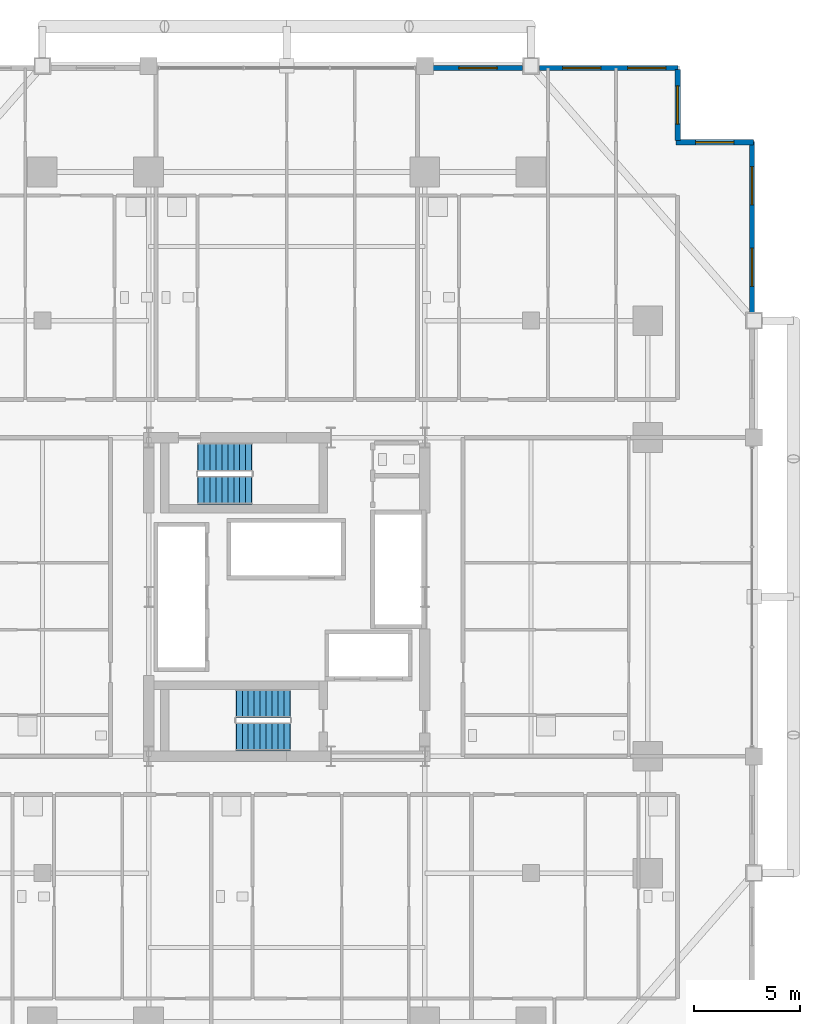
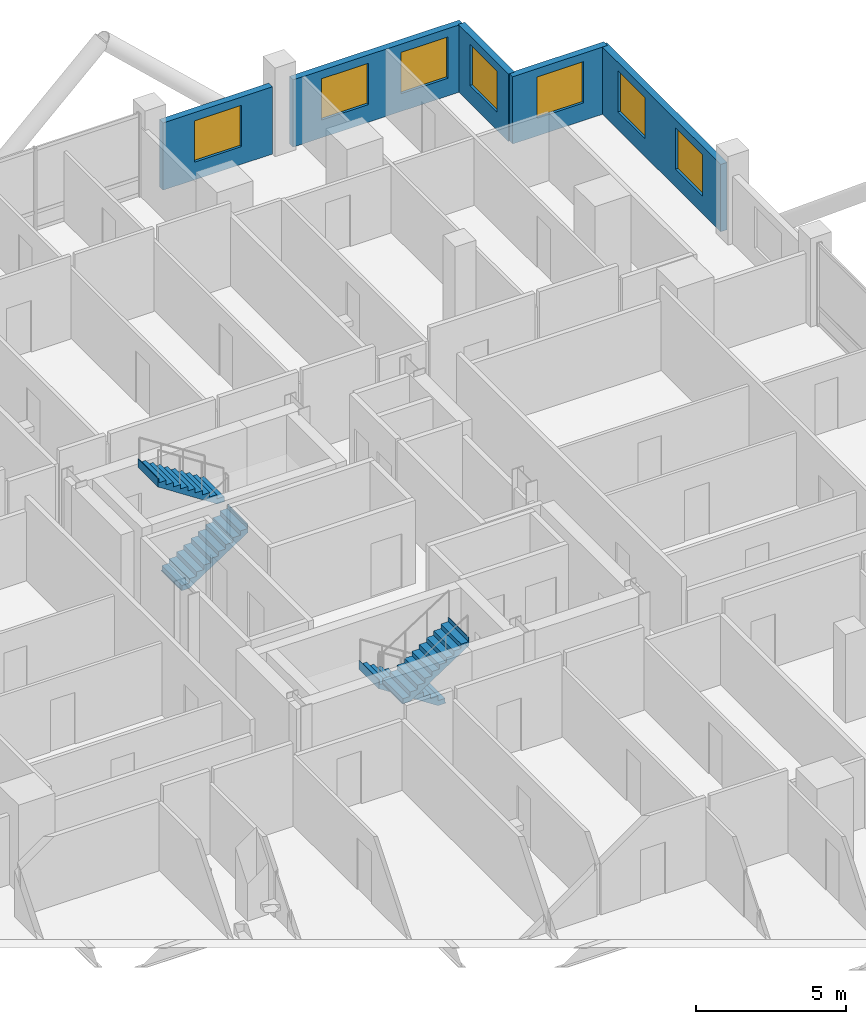
# One storey, part 26 of 28: 7 windows, 5 walls, 4 stair flights, 7 openings, 2 elements without a shape of their own.
"""IFC4 building model written with IfcOpenShell, lengths in metres."""

from ifc_helpers import new_model, si_unit, direction, frame, frame_2d, origin, place, context, subcontext, project, spatial, polyline, rectangle, outline, extrude, material, layer, layer_set, type_object, element, fill, aggregate, save


model = new_model("IFC4")

# Units and contexts
model_context = context("Model", 3, precision=1e-05, world=origin(), true_north=direction((0.0, 1.0)))
body_context = subcontext(model_context, "Body", "Model", "MODEL_VIEW")
ifc_project = project(units=[si_unit("LENGTHUNIT", "METRE"), si_unit("AREAUNIT", "SQUARE_METRE"), si_unit("VOLUMEUNIT", "CUBIC_METRE"), si_unit("PLANEANGLEUNIT", "RADIAN"), si_unit("MASSUNIT", "GRAM", prefix="KILO")], contexts=[model_context])

# Site, building, storey
site_placement = place(None, origin())
site = spatial("IfcSite", under=ifc_project, at=site_placement, CompositionType="ELEMENT")
building_placement = place(site_placement, origin())
building = spatial("IfcBuilding", under=site, at=building_placement, Name="Barlavira Tower and Art Museum", CompositionType="ELEMENT")
storey_placement = place(building_placement, frame((0.0, 0.0, 39.60009765625)))
storey = spatial("IfcBuildingStorey", under=building, at=storey_placement, Name="L08", CompositionType="ELEMENT", Elevation=39.60009765625)

# Wall, openings, windows
ifc_material_1 = material(Name="Precast concrete C40", Category="concrete")
ifc_layer = layer(ifc_material_1, 0.25, Name="Precast concrete C40")
ifc_layer_set = layer_set([ifc_layer], Name="Precast concrete C40")
wall_type = type_object("IfcWallType", Name="Notched Corner Spandrel Wall 250 Precast Concrete C40", PredefinedType="SOLIDWALL", material=ifc_layer_set)
wall_1_placement = place(storey_placement, frame((18.425048828125, 24.89990234375, 0.0), z_axis=(0.0, 0.0, 1.0), x_axis=(-1.0, 0.0, 0.0)))
wall_1 = element("IfcWall", 1, at=wall_1_placement, inside=storey, type_object=wall_type, Name="L08 Coastal Facade Pier Wall CW1-L08-N-1", PredefinedType="SOLIDWALL", context=body_context, shape_type="SweptSolid", body=[
    extrude(rectangle(XDim=6.530029296875, YDim=0.25, at=frame_2d((3.26513671875, 0.0))), origin(), (0.0, 0.0, 1.0), 2.73583984375),
])
opening_1_placement = place(wall_1_placement, frame((0.572998046875, 0.0, 0.719970703125)))
opening_1 = element("IfcOpeningElement", 2, at=opening_1_placement, cuts=wall_1, Name="Opening WN-01", PredefinedType="OPENING", context=body_context, shape_type="SweptSolid", body=[
    extrude(rectangle(XDim=1.800048828125, YDim=1.679931640625, at=frame_2d((0.89990234375, 0.83984375))), frame((0.0, 0.135009765625, 0.0), z_axis=(0.0, -1.0, 0.0), x_axis=(1.0, 0.0, 0.0)), (0.0, 0.0, 1.0), 0.27001953125),
])
opening_2_placement = place(wall_1_placement, frame((3.639892578125, 0.0, 0.719970703125)))
opening_2 = element("IfcOpeningElement", 3, at=opening_2_placement, cuts=wall_1, Name="Opening WN-01", PredefinedType="OPENING", context=body_context, shape_type="SweptSolid", body=[
    extrude(rectangle(XDim=1.800048828125, YDim=1.679931640625, at=frame_2d((0.89990234375, 0.83984375))), frame((0.0, 0.135009765625, 0.0), z_axis=(0.0, -1.0, 0.0), x_axis=(1.0, 0.0, 0.0)), (0.0, 0.0, 1.0), 0.27001953125),
])
ifc_material_2 = material(Name="Low-iron coastal laminated glass", Category="glass")
window_type = type_object("IfcWindowType", Name="Recessed Notch Corner Punch Window 1800x1680", PartitioningType="SINGLE_PANEL", PredefinedType="WINDOW", material=ifc_material_2)
window_1_placement = place(opening_1_placement, origin())
window_1 = element("IfcWindow", 4, at=window_1_placement, inside=storey, type_object=window_type, Name="L08 Punched Facade Window EWP-CW1-L08-N-1-1", OverallHeight=1.679931640625, OverallWidth=1.800048828125, PartitioningType="SINGLE_PANEL", PredefinedType="WINDOW", context=body_context, shape_type="SweptSolid", body=[
    extrude(rectangle(XDim=1.800048828125, YDim=1.679931640625, at=frame_2d((0.89990234375, 0.83984375))), frame((0.0, 0.030029296875, 0.0), z_axis=(0.0, -1.0, 0.0), x_axis=(1.0, 0.0, 0.0)), (0.0, 0.0, 1.0), 0.06005859375),
])
fill(opening_1, window_1)
window_2_placement = place(opening_2_placement, origin())
window_2 = element("IfcWindow", 5, at=window_2_placement, inside=storey, type_object=window_type, Name="L08 Punched Facade Window EWP-CW1-L08-N-1-2", OverallHeight=1.679931640625, OverallWidth=1.800048828125, PartitioningType="SINGLE_PANEL", PredefinedType="WINDOW", context=body_context, shape_type="SweptSolid", body=[
    extrude(rectangle(XDim=1.800048828125, YDim=1.679931640625, at=frame_2d((0.89990234375, 0.83984375))), frame((0.0, 0.030029296875, 0.0), z_axis=(0.0, -1.0, 0.0), x_axis=(1.0, 0.0, 0.0)), (0.0, 0.0, 1.0), 0.06005859375),
])
fill(opening_2, window_2)

# Wall, opening, window
wall_2_placement = place(storey_placement, frame((11.10498046875, 24.89990234375, 0.0), z_axis=(0.0, 0.0, 1.0), x_axis=(-1.0, 0.0, 0.0)))
wall_2 = element("IfcWall", 6, at=wall_2_placement, inside=storey, type_object=wall_type, Name="L08 Coastal Facade Pier Wall CW1-L08-N-2", PredefinedType="SOLIDWALL", context=body_context, shape_type="SweptSolid", body=[
    extrude(rectangle(XDim=4.2099609375, YDim=0.25, at=frame_2d((2.10498046875, 0.0))), origin(), (0.0, 0.0, 1.0), 2.73583984375),
])
opening_3_placement = place(wall_2_placement, frame((1.205078125, 0.0, 0.719970703125)))
opening_3 = element("IfcOpeningElement", 7, at=opening_3_placement, cuts=wall_2, Name="Opening WN-01", PredefinedType="OPENING", context=body_context, shape_type="SweptSolid", body=[
    extrude(rectangle(XDim=1.800048828125, YDim=1.679931640625, at=frame_2d((0.89990234375, 0.83984375))), frame((0.0, 0.135009765625, 0.0), z_axis=(0.0, -1.0, 0.0), x_axis=(1.0, 0.0, 0.0)), (0.0, 0.0, 1.0), 0.27001953125),
])
window_3_placement = place(opening_3_placement, origin())
window_3 = element("IfcWindow", 8, at=window_3_placement, inside=storey, type_object=window_type, Name="L08 Punched Facade Window EWP-CW1-L08-N-2-1", OverallHeight=1.679931640625, OverallWidth=1.800048828125, PartitioningType="SINGLE_PANEL", PredefinedType="WINDOW", context=body_context, shape_type="SweptSolid", body=[
    extrude(rectangle(XDim=1.800048828125, YDim=1.679931640625, at=frame_2d((0.89990234375, 0.83984375))), frame((0.0, 0.030029296875, 0.0), z_axis=(0.0, -1.0, 0.0), x_axis=(1.0, 0.0, 0.0)), (0.0, 0.0, 1.0), 0.06005859375),
])
fill(opening_3, window_3)

# Wall, openings, windows
wall_3_placement = place(storey_placement, frame((21.89990234375, 13.39501953125, 0.0), z_axis=(0.0, 0.0, 1.0), x_axis=(0.0, 1.0, 0.0)))
wall_3 = element("IfcWall", 9, at=wall_3_placement, inside=storey, type_object=wall_type, Name="L08 Coastal Facade Pier Wall CW1-L08-E-5", PredefinedType="SOLIDWALL", context=body_context, shape_type="SweptSolid", body=[
    extrude(rectangle(XDim=8.030029296875, YDim=0.25, at=frame_2d((4.01513671875, 0.0))), origin(), (0.0, 0.0, 1.0), 2.73583984375),
])
opening_4_placement = place(wall_3_placement, frame((1.220947265625, 0.0, 0.719970703125)))
opening_4 = element("IfcOpeningElement", 10, at=opening_4_placement, cuts=wall_3, Name="Opening WN-01", PredefinedType="OPENING", context=body_context, shape_type="SweptSolid", body=[
    extrude(rectangle(XDim=1.800048828125, YDim=1.679931640625, at=frame_2d((0.89990234375, 0.83984375))), frame((0.0, 0.135009765625, 0.0), z_axis=(0.0, -1.0, 0.0), x_axis=(1.0, 0.0, 0.0)), (0.0, 0.0, 1.0), 0.27001953125),
])
opening_5_placement = place(wall_3_placement, frame((5.053955078125, 0.0, 0.719970703125)))
opening_5 = element("IfcOpeningElement", 11, at=opening_5_placement, cuts=wall_3, Name="Opening WN-01", PredefinedType="OPENING", context=body_context, shape_type="SweptSolid", body=[
    extrude(rectangle(XDim=1.800048828125, YDim=1.679931640625, at=frame_2d((0.89990234375, 0.83984375))), frame((0.0, 0.135009765625, 0.0), z_axis=(0.0, -1.0, 0.0), x_axis=(1.0, 0.0, 0.0)), (0.0, 0.0, 1.0), 0.27001953125),
])
window_4_placement = place(opening_4_placement, origin())
window_4 = element("IfcWindow", 12, at=window_4_placement, inside=storey, type_object=window_type, Name="L08 Punched Facade Window EWP-CW1-L08-E-5-1", OverallHeight=1.679931640625, OverallWidth=1.800048828125, PartitioningType="SINGLE_PANEL", PredefinedType="WINDOW", context=body_context, shape_type="SweptSolid", body=[
    extrude(rectangle(XDim=1.800048828125, YDim=1.679931640625, at=frame_2d((0.89990234375, 0.83984375))), frame((0.0, 0.030029296875, 0.0), z_axis=(0.0, -1.0, 0.0), x_axis=(1.0, 0.0, 0.0)), (0.0, 0.0, 1.0), 0.06005859375),
])
fill(opening_4, window_4)
window_5_placement = place(opening_5_placement, origin())
window_5 = element("IfcWindow", 13, at=window_5_placement, inside=storey, type_object=window_type, Name="L08 Punched Facade Window EWP-CW1-L08-E-5-2", OverallHeight=1.679931640625, OverallWidth=1.800048828125, PartitioningType="SINGLE_PANEL", PredefinedType="WINDOW", context=body_context, shape_type="SweptSolid", body=[
    extrude(rectangle(XDim=1.800048828125, YDim=1.679931640625, at=frame_2d((0.89990234375, 0.83984375))), frame((0.0, 0.030029296875, 0.0), z_axis=(0.0, -1.0, 0.0), x_axis=(1.0, 0.0, 0.0)), (0.0, 0.0, 1.0), 0.06005859375),
])
fill(opening_5, window_5)

# Wall, opening, window
wall_4_placement = place(storey_placement, frame((21.97998046875, 21.39990234375, 0.0), z_axis=(0.0, 0.0, 1.0), x_axis=(-1.0, 0.0, 0.0)))
wall_4 = element("IfcWall", 14, at=wall_4_placement, inside=storey, type_object=wall_type, Name="L08 Notch Corner Wall NE1", PredefinedType="SOLIDWALL", context=body_context, shape_type="SweptSolid", body=[
    extrude(rectangle(XDim=3.659912109375, YDim=0.25, at=frame_2d((1.830078125, 0.0))), origin(), (0.0, 0.0, 1.0), 2.73583984375),
])
opening_6_placement = place(wall_4_placement, frame((0.929931640625, 0.0, 0.719970703125)))
opening_6 = element("IfcOpeningElement", 15, at=opening_6_placement, cuts=wall_4, Name="Opening WN-01", PredefinedType="OPENING", context=body_context, shape_type="SweptSolid", body=[
    extrude(rectangle(XDim=1.800048828125, YDim=1.679931640625, at=frame_2d((0.89990234375, 0.83984375))), frame((0.0, 0.135009765625, 0.0), z_axis=(0.0, -1.0, 0.0), x_axis=(1.0, 0.0, 0.0)), (0.0, 0.0, 1.0), 0.27001953125),
])
window_6_placement = place(opening_6_placement, origin())
window_6 = element("IfcWindow", 16, at=window_6_placement, inside=storey, type_object=window_type, Name="L08 Punched Facade Window EW-NTC-L08-NE1-1", OverallHeight=1.679931640625, OverallWidth=1.800048828125, PartitioningType="SINGLE_PANEL", PredefinedType="WINDOW", context=body_context, shape_type="SweptSolid", body=[
    extrude(rectangle(XDim=1.800048828125, YDim=1.679931640625, at=frame_2d((0.89990234375, 0.83984375))), frame((0.0, 0.030029296875, 0.0), z_axis=(0.0, -1.0, 0.0), x_axis=(1.0, 0.0, 0.0)), (0.0, 0.0, 1.0), 0.06005859375),
])
fill(opening_6, window_6)

wall_5_placement = place(storey_placement, frame((18.39990234375, 21.47998046875, 0.0), z_axis=(0.0, 0.0, 1.0), x_axis=(0.0, 1.0, 0.0)))
wall_5 = element("IfcWall", 17, at=wall_5_placement, inside=storey, type_object=wall_type, Name="L08 Notch Corner Wall NE2", PredefinedType="SOLIDWALL", context=body_context, shape_type="SweptSolid", body=[
    extrude(rectangle(XDim=3.340087890625, YDim=0.25, at=frame_2d((1.669921875, 0.0))), origin(), (0.0, 0.0, 1.0), 2.73583984375),
])
opening_7_placement = place(wall_5_placement, frame((0.77001953125, 0.0, 0.719970703125)))
opening_7 = element("IfcOpeningElement", 18, at=opening_7_placement, cuts=wall_5, Name="Opening WN-01", PredefinedType="OPENING", context=body_context, shape_type="SweptSolid", body=[
    extrude(rectangle(XDim=1.800048828125, YDim=1.679931640625, at=frame_2d((0.89990234375, 0.83984375))), frame((0.0, 0.135009765625, 0.0), z_axis=(0.0, -1.0, 0.0), x_axis=(1.0, 0.0, 0.0)), (0.0, 0.0, 1.0), 0.27001953125),
])
window_7_placement = place(opening_7_placement, origin())
window_7 = element("IfcWindow", 19, at=window_7_placement, inside=storey, type_object=window_type, Name="L08 Punched Facade Window EW-NTC-L08-NE2-1", OverallHeight=1.679931640625, OverallWidth=1.800048828125, PartitioningType="SINGLE_PANEL", PredefinedType="WINDOW", context=body_context, shape_type="SweptSolid", body=[
    extrude(rectangle(XDim=1.800048828125, YDim=1.679931640625, at=frame_2d((0.89990234375, 0.83984375))), frame((0.0, 0.030029296875, 0.0), z_axis=(0.0, -1.0, 0.0), x_axis=(1.0, 0.0, 0.0)), (0.0, 0.0, 1.0), 0.06005859375),
])
fill(opening_7, window_7)

# Stair, stair flights
ifc_material_3 = material(Name="Concrete C45", Category="concrete")
stair_type_1 = type_object("IfcStairType", Name="Tower North Dog-Leg Exit Stair Assembly Concrete C45", PredefinedType="TWO_QUARTER_TURN_STAIR", material=ifc_material_3)
stair_1_placement = place(storey_placement, origin())
stair_1 = element("IfcStair", 20, at=stair_1_placement, inside=storey, type_object=stair_type_1, Name="L08 Tower North Exit Stair ST-T2", PredefinedType="TWO_QUARTER_TURN_STAIR")
ifc_material_4 = material(Name="Precast concrete C45", Category="concrete")
stair_flight_type_1 = type_object("IfcStairFlightType", Name="Tower North Dog-Leg Exit Stair Precast Flight 1350 Concrete C45", PredefinedType="STRAIGHT", material=ifc_material_4)
stair_flight_1_placement = place(storey_placement, frame((-4.169921875, 5.02490234375, 0.0), z_axis=(0.0, 0.0, 1.0), x_axis=(1.0, 0.0, 0.0)))
stair_flight_1 = element("IfcStairFlight", 21, at=stair_flight_1_placement, type_object=stair_flight_type_1, Name="ST-T2 flight 1", NumberOfRisers=10, NumberOfTreads=9, PredefinedType="STRAIGHT", RiserHeight=0.18, TreadLength=0.28, context=body_context, shape_type="SweptSolid", body=[
    extrude(outline(polyline([(-0.02490234375, 0.0), (0.0, 0.0), (0.0, 0.179931640625), (0.280029296875, 0.179931640625), (0.280029296875, 0.360107421875), (0.56005859375, 0.360107421875), (0.56005859375, 0.5400390625), (0.840087890625, 0.5400390625), (0.840087890625, 0.719970703125), (1.1201171875, 0.719970703125), (1.1201171875, 0.89990234375), (1.39990234375, 0.89990234375), (1.39990234375, 1.080078125), (1.679931640625, 1.080078125), (1.679931640625, 1.260009765625), (1.9599609375, 1.260009765625), (1.9599609375, 1.43994140625), (2.239990234375, 1.43994140625), (2.239990234375, 1.6201171875), (2.52001953125, 1.6201171875), (2.52001953125, 1.800048828125), (2.544921875, 1.800048828125), (2.544921875, 1.44189453125), (2.52001953125, 1.44189453125), (0.277099609375, -0.02490234375), (-0.02490234375, -0.02490234375), (-0.02490234375, 0.0)])), frame((0.0, 0.675048828125, 0.0), z_axis=(0.0, -1.0, 0.0), x_axis=(1.0, 0.0, 0.0)), (0.0, 0.0, 1.0), 1.35009765625),
])
stair_flight_2_placement = place(storey_placement, frame((-1.64990234375, 6.574951171875, 1.7998046875), z_axis=(0.0, 0.0, 1.0), x_axis=(-1.0, 0.0, 0.0)))
stair_flight_2 = element("IfcStairFlight", 22, at=stair_flight_2_placement, type_object=stair_flight_type_1, Name="ST-T2 flight 2", NumberOfRisers=10, NumberOfTreads=9, PredefinedType="STRAIGHT", RiserHeight=0.18, TreadLength=0.28, context=body_context, shape_type="SweptSolid", body=[
    extrude(outline(polyline([(-0.02490234375, 0.0), (0.0, 0.0), (0.0, 0.179931640625), (0.280029296875, 0.179931640625), (0.280029296875, 0.360107421875), (0.56005859375, 0.360107421875), (0.56005859375, 0.5400390625), (0.840087890625, 0.5400390625), (0.840087890625, 0.719970703125), (1.1201171875, 0.719970703125), (1.1201171875, 0.89990234375), (1.39990234375, 0.89990234375), (1.39990234375, 1.080078125), (1.679931640625, 1.080078125), (1.679931640625, 1.260009765625), (1.9599609375, 1.260009765625), (1.9599609375, 1.43994140625), (2.239990234375, 1.43994140625), (2.239990234375, 1.6201171875), (2.52001953125, 1.6201171875), (2.52001953125, 1.800048828125), (2.544921875, 1.800048828125), (2.544921875, 1.44189453125), (2.52001953125, 1.44189453125), (0.277099609375, -0.02490234375), (-0.02490234375, -0.02490234375), (-0.02490234375, 0.0)])), frame((0.0, 0.675048828125, 0.0), z_axis=(0.0, -1.0, 0.0), x_axis=(1.0, 0.0, 0.0)), (0.0, 0.0, 1.0), 1.35009765625),
])
aggregate(stair_1, [stair_flight_1, stair_flight_2])

stair_type_2 = type_object("IfcStairType", Name="Tower South Dog-Leg Exit Stair Assembly Concrete C45", PredefinedType="TWO_QUARTER_TURN_STAIR", material=ifc_material_3)
stair_2_placement = place(storey_placement, origin())
stair_2 = element("IfcStair", 23, at=stair_2_placement, inside=storey, type_object=stair_type_2, Name="L08 Tower South Exit Stair ST-T1", PredefinedType="TWO_QUARTER_TURN_STAIR")
stair_flight_type_2 = type_object("IfcStairFlightType", Name="Tower South Dog-Leg Exit Stair Precast Flight 1350 Concrete C45", PredefinedType="STRAIGHT", material=ifc_material_4)
stair_flight_3_placement = place(storey_placement, frame((0.14990234375, -5.02490234375, 0.0), z_axis=(0.0, 0.0, 1.0), x_axis=(-1.0, 0.0, 0.0)))
stair_flight_3 = element("IfcStairFlight", 24, at=stair_flight_3_placement, type_object=stair_flight_type_2, Name="ST-T1 flight 1", NumberOfRisers=10, NumberOfTreads=9, PredefinedType="STRAIGHT", RiserHeight=0.18, TreadLength=0.28, context=body_context, shape_type="SweptSolid", body=[
    extrude(outline(polyline([(-0.02490234375, 0.0), (0.0, 0.0), (0.0, 0.179931640625), (0.280029296875, 0.179931640625), (0.280029296875, 0.360107421875), (0.56005859375, 0.360107421875), (0.56005859375, 0.5400390625), (0.840087890625, 0.5400390625), (0.840087890625, 0.719970703125), (1.1201171875, 0.719970703125), (1.1201171875, 0.89990234375), (1.39990234375, 0.89990234375), (1.39990234375, 1.080078125), (1.679931640625, 1.080078125), (1.679931640625, 1.260009765625), (1.9599609375, 1.260009765625), (1.9599609375, 1.43994140625), (2.239990234375, 1.43994140625), (2.239990234375, 1.6201171875), (2.52001953125, 1.6201171875), (2.52001953125, 1.800048828125), (2.544921875, 1.800048828125), (2.544921875, 1.44189453125), (2.52001953125, 1.44189453125), (0.277099609375, -0.02490234375), (-0.02490234375, -0.02490234375), (-0.02490234375, 0.0)])), frame((0.0, 0.675048828125, 0.0), z_axis=(0.0, -1.0, 0.0), x_axis=(1.0, 0.0, 0.0)), (0.0, 0.0, 1.0), 1.35009765625),
])
stair_flight_4_placement = place(storey_placement, frame((-2.3701171875, -6.574951171875, 1.7998046875), z_axis=(0.0, 0.0, 1.0), x_axis=(1.0, 0.0, 0.0)))
stair_flight_4 = element("IfcStairFlight", 25, at=stair_flight_4_placement, type_object=stair_flight_type_2, Name="ST-T1 flight 2", NumberOfRisers=10, NumberOfTreads=9, PredefinedType="STRAIGHT", RiserHeight=0.18, TreadLength=0.28, context=body_context, shape_type="SweptSolid", body=[
    extrude(outline(polyline([(-0.02490234375, 0.0), (0.0, 0.0), (0.0, 0.179931640625), (0.280029296875, 0.179931640625), (0.280029296875, 0.360107421875), (0.56005859375, 0.360107421875), (0.56005859375, 0.5400390625), (0.840087890625, 0.5400390625), (0.840087890625, 0.719970703125), (1.1201171875, 0.719970703125), (1.1201171875, 0.89990234375), (1.39990234375, 0.89990234375), (1.39990234375, 1.080078125), (1.679931640625, 1.080078125), (1.679931640625, 1.260009765625), (1.9599609375, 1.260009765625), (1.9599609375, 1.43994140625), (2.239990234375, 1.43994140625), (2.239990234375, 1.6201171875), (2.52001953125, 1.6201171875), (2.52001953125, 1.800048828125), (2.544921875, 1.800048828125), (2.544921875, 1.44189453125), (2.52001953125, 1.44189453125), (0.277099609375, -0.02490234375), (-0.02490234375, -0.02490234375), (-0.02490234375, 0.0)])), frame((0.0, 0.675048828125, 0.0), z_axis=(0.0, -1.0, 0.0), x_axis=(1.0, 0.0, 0.0)), (0.0, 0.0, 1.0), 1.35009765625),
])
aggregate(stair_2, [stair_flight_3, stair_flight_4])

save(model, "model.ifc")
